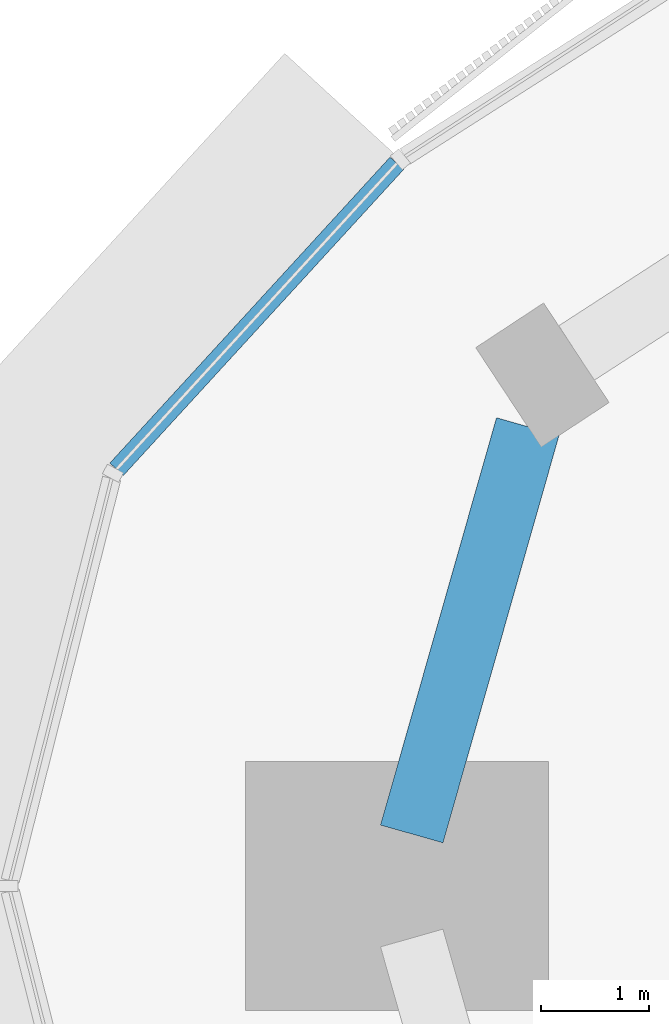
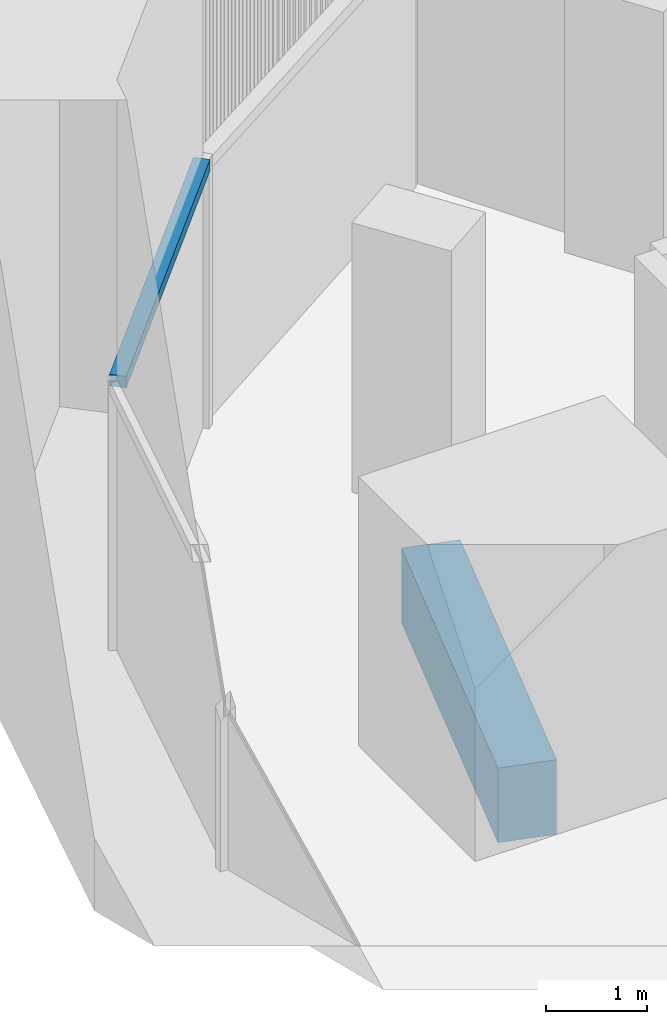
# One storey, part 3 of 16: 1 beam, 1 member, 1 element without a shape of its own.
"""IFC4 building model written with IfcOpenShell, lengths in metres."""

from ifc_helpers import new_model, si_unit, direction, frame, origin, origin_2d, place, context, subcontext, project, spatial, rectangle, extrude, material, material_profile, profile_set, type_object, element, aggregate, save


model = new_model("IFC4")

# Units and contexts
model_context = context("Model", 3, precision=1e-05, world=origin(), true_north=direction((0.0, 1.0)))
body_context = subcontext(model_context, "Body", "Model", "MODEL_VIEW")
ifc_project = project(units=[si_unit("LENGTHUNIT", "METRE"), si_unit("AREAUNIT", "SQUARE_METRE"), si_unit("VOLUMEUNIT", "CUBIC_METRE"), si_unit("PLANEANGLEUNIT", "RADIAN"), si_unit("MASSUNIT", "GRAM", prefix="KILO")], contexts=[model_context])

# Site, building, storey
site_placement = place(None, origin())
site = spatial("IfcSite", under=ifc_project, at=site_placement, CompositionType="ELEMENT")
building_placement = place(site_placement, origin())
building = spatial("IfcBuilding", under=site, at=building_placement, Name="Tamra Quay Hotel Tower", CompositionType="ELEMENT")
storey_placement = place(building_placement, frame((0.0, 0.0, 232.199951171875)))
storey = spatial("IfcBuildingStorey", under=building, at=storey_placement, Name="L58", CompositionType="ELEMENT", Elevation=232.199951171875)

# Beam
ifc_material_1 = material(Name="Concrete M60", Category="concrete")
ifc_material_profile_1 = material_profile(ifc_material_1, rectangle(XDim=0.60009765625, YDim=0.89990234375, at=origin_2d()), Name="SPANDREL BEAM RC 600x900")
ifc_profile_set_1 = profile_set([ifc_material_profile_1], Name="Concrete M60")
beam_type = type_object("IfcBeamType", Name="SPANDREL BEAM RC 600x900", PredefinedType="SPANDREL", material=ifc_profile_set_1)
beam_placement = place(storey_placement, frame((-24.2119140625, 4.24365234375, -0.800048828125), z_axis=(-0.273913429616, -0.961754351732, 0.0), x_axis=(0.961754351732, -0.273913429616, 0.0)))
element("IfcBeam", 1, at=beam_placement, inside=storey, type_object=beam_type, Name="BM-SP5-018-L58", PredefinedType="SPANDREL", context=body_context, shape_type="SweptSolid", body=[
    extrude(rectangle(XDim=0.60009765625, YDim=0.89990234375, at=origin_2d()), origin(), (0.0, 0.0, 1.0), 3.912841796875),
])

# Curtain wall, member
ifc_material_2 = material(Name="Aluminium 6063 anodised dark grey", Category="aluminium")
curtain_wall_type = type_object("IfcCurtainWallType", Name="CW2 CURTAIN WALL", PredefinedType="NOTDEFINED", material=ifc_material_2)
curtain_wall_placement = place(storey_placement, origin())
curtain_wall = element("IfcCurtainWall", 2, at=curtain_wall_placement, inside=storey, type_object=curtain_wall_type, Name="CW2 north-west face L58", PredefinedType="NOTDEFINED")
ifc_material_profile_2 = material_profile(ifc_material_2, rectangle(XDim=0.169921875, YDim=0.139892578125, at=origin_2d()), Name="TRANSOM 170X140")
ifc_profile_set_2 = profile_set([ifc_material_profile_2], Name="Aluminium 6063 anodised dark grey")
member_type = type_object("IfcMemberType", Name="TRANSOM CW2 Z5", PredefinedType="USERDEFINED", material=ifc_profile_set_2)
member_placement = place(storey_placement, frame((-25.421630859375, 6.67578125, 3.179931640625), z_axis=(-0.675436113267, -0.737418508647, 0.0), x_axis=(0.737418508647, -0.675436113267, 0.0)))
member = element("IfcMember", 3, at=member_placement, type_object=member_type, Name="CW2 transom L58.NW.9", ObjectType="TRANSOM", PredefinedType="USERDEFINED", context=body_context, shape_type="SweptSolid", body=[
    extrude(rectangle(XDim=0.169921875, YDim=0.139892578125, at=origin_2d()), origin(), (0.0, 0.0, 1.0), 3.83251953125),
])
aggregate(curtain_wall, [member])

save(model, "model.ifc")
